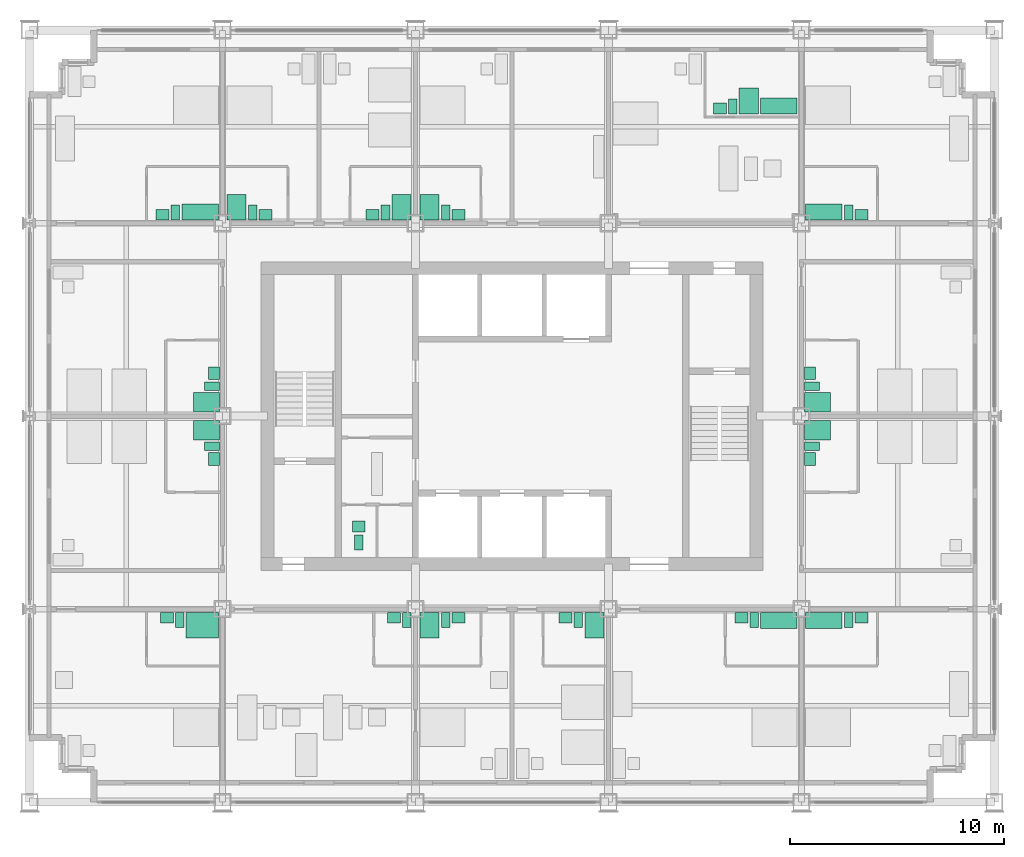
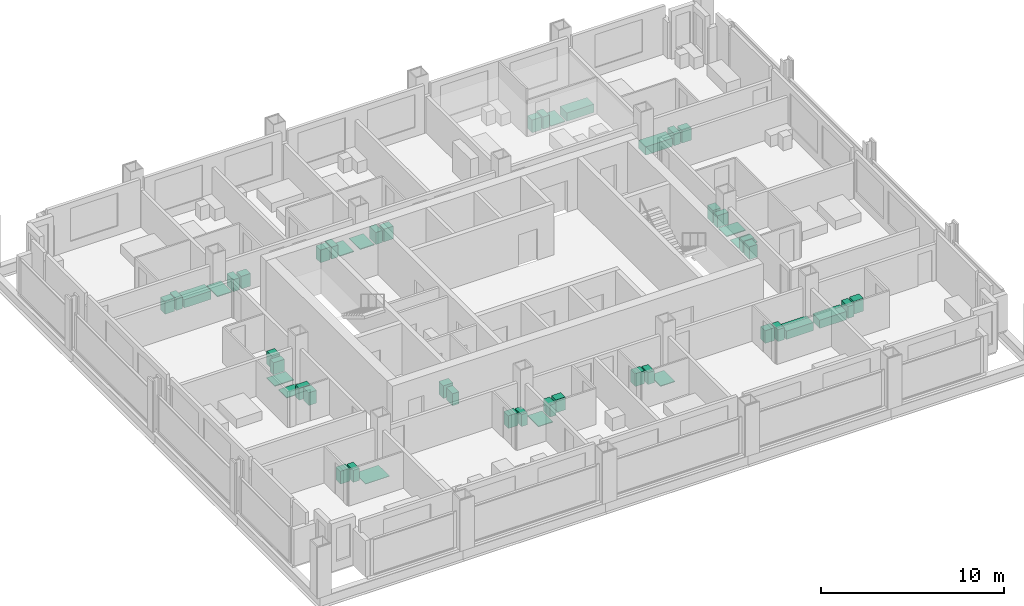
# One storey, part 15 of 16: 50 sanitary terminals.
"""IFC4 building model written with IfcOpenShell, lengths in metres."""

from ifc_helpers import new_model, si_unit, direction, frame, origin, origin_2d, place, context, subcontext, project, spatial, rectangle, extrude, element, save


model = new_model("IFC4")

# Units and contexts
model_context = context("Model", 3, precision=1e-05, world=origin(), true_north=direction((0.0, 1.0)))
body_context = subcontext(model_context, "Body", "Model", "MODEL_VIEW")
ifc_project = project(units=[si_unit("LENGTHUNIT", "METRE"), si_unit("AREAUNIT", "SQUARE_METRE"), si_unit("VOLUMEUNIT", "CUBIC_METRE"), si_unit("PLANEANGLEUNIT", "RADIAN"), si_unit("MASSUNIT", "GRAM", prefix="KILO")], contexts=[model_context])

# Site, building, storey
site_placement = place(None, origin())
site = spatial("IfcSite", under=ifc_project, at=site_placement, CompositionType="ELEMENT")
building_placement = place(site_placement, origin())
building = spatial("IfcBuilding", under=site, at=building_placement, Name="Loomwork Tower", CompositionType="ELEMENT")
storey_placement = place(building_placement, frame((0.0, 0.0, 131.60009765625)))
storey = spatial("IfcBuildingStorey", under=building, at=storey_placement, Name="L35", CompositionType="ELEMENT", Elevation=131.60009765625)

# Sanitary terminals
sanitary_terminal_1_placement = place(storey_placement, frame((8.050048828125, 8.25, 0.0), z_axis=(0.0, 0.0, 1.0), x_axis=(1.0, 0.0, 0.0)))
element("IfcSanitaryTerminal", 1, at=sanitary_terminal_1_placement, inside=storey, Name="Roll-in shower floor L35", PredefinedType="SHOWER", context=body_context, shape_type="SweptSolid", body=[
    extrude(rectangle(XDim=1.5, YDim=1.199951171875, at=origin_2d()), origin(), (0.0, 0.0, 1.0), 0.030029296875),
])
sanitary_terminal_2_placement = place(storey_placement, frame((7.0, 8.5, 0.0), z_axis=(0.0, 0.0, 1.0), x_axis=(1.0, 0.0, 0.0)))
element("IfcSanitaryTerminal", 2, at=sanitary_terminal_2_placement, inside=storey, Name="WC L35", PredefinedType="TOILETPAN", context=body_context, shape_type="SweptSolid", body=[
    extrude(rectangle(XDim=0.39990234375, YDim=0.699951171875, at=origin_2d()), origin(), (0.0, 0.0, 1.0), 0.800048828125),
])
sanitary_terminal_3_placement = place(storey_placement, frame((6.39990234375, 8.60009765625, -0.000244140625), z_axis=(0.0, 0.0, 1.0), x_axis=(1.0, 0.0, 0.0)))
element("IfcSanitaryTerminal", 3, at=sanitary_terminal_3_placement, inside=storey, Name="Basin vanity L35", PredefinedType="WASHHANDBASIN", context=body_context, shape_type="SweptSolid", body=[
    extrude(rectangle(XDim=0.60009765625, YDim=0.5, at=origin_2d()), origin(), (0.0, 0.0, 1.0), 0.85009765625),
])
sanitary_terminal_4_placement = place(storey_placement, frame((17.60009765625, 8.5, 0.0), z_axis=(0.0, 0.0, 1.0), x_axis=(1.0, 0.0, 0.0)))
element("IfcSanitaryTerminal", 4, at=sanitary_terminal_4_placement, inside=storey, Name="WC L35", PredefinedType="TOILETPAN", context=body_context, shape_type="SweptSolid", body=[
    extrude(rectangle(XDim=0.39990234375, YDim=0.699951171875, at=origin_2d()), origin(), (0.0, 0.0, 1.0), 0.800048828125),
])
sanitary_terminal_5_placement = place(storey_placement, frame((17.0, 8.60009765625, -0.000244140625), z_axis=(0.0, 0.0, 1.0), x_axis=(1.0, 0.0, 0.0)))
element("IfcSanitaryTerminal", 5, at=sanitary_terminal_5_placement, inside=storey, Name="Basin vanity L35", PredefinedType="WASHHANDBASIN", context=body_context, shape_type="SweptSolid", body=[
    extrude(rectangle(XDim=0.60009765625, YDim=0.5, at=origin_2d()), origin(), (0.0, 0.0, 1.0), 0.85009765625),
])
sanitary_terminal_6_placement = place(storey_placement, frame((18.64990234375, 8.25, 0.0), z_axis=(0.0, 0.0, 1.0), x_axis=(1.0, 0.0, 0.0)))
element("IfcSanitaryTerminal", 6, at=sanitary_terminal_6_placement, inside=storey, Name="Shower tray L35", PredefinedType="SHOWER", context=body_context, shape_type="SweptSolid", body=[
    extrude(rectangle(XDim=0.89990234375, YDim=1.199951171875, at=origin_2d()), origin(), (0.0, 0.0, 1.0), 0.050048828125),
])
sanitary_terminal_7_placement = place(storey_placement, frame((19.39990234375, 8.5, 0.0), z_axis=(0.0, 0.0, 1.0), x_axis=(1.0, 0.0, 0.0)))
element("IfcSanitaryTerminal", 7, at=sanitary_terminal_7_placement, inside=storey, Name="WC L35", PredefinedType="TOILETPAN", context=body_context, shape_type="SweptSolid", body=[
    extrude(rectangle(XDim=0.39990234375, YDim=0.699951171875, at=origin_2d()), origin(), (0.0, 0.0, 1.0), 0.800048828125),
])
sanitary_terminal_8_placement = place(storey_placement, frame((20.0, 8.60009765625, -0.000244140625), z_axis=(0.0, 0.0, 1.0), x_axis=(1.0, 0.0, 0.0)))
element("IfcSanitaryTerminal", 8, at=sanitary_terminal_8_placement, inside=storey, Name="Basin vanity L35", PredefinedType="WASHHANDBASIN", context=body_context, shape_type="SweptSolid", body=[
    extrude(rectangle(XDim=0.60009765625, YDim=0.5, at=origin_2d()), origin(), (0.0, 0.0, 1.0), 0.85009765625),
])
sanitary_terminal_9_placement = place(storey_placement, frame((26.35009765625, 8.25, 0.0), z_axis=(0.0, 0.0, 1.0), x_axis=(1.0, 0.0, 0.0)))
element("IfcSanitaryTerminal", 9, at=sanitary_terminal_9_placement, inside=storey, Name="Shower tray L35", PredefinedType="SHOWER", context=body_context, shape_type="SweptSolid", body=[
    extrude(rectangle(XDim=0.89990234375, YDim=1.199951171875, at=origin_2d()), origin(), (0.0, 0.0, 1.0), 0.050048828125),
])
sanitary_terminal_10_placement = place(storey_placement, frame((25.60009765625, 8.5, 0.0), z_axis=(0.0, 0.0, 1.0), x_axis=(1.0, 0.0, 0.0)))
element("IfcSanitaryTerminal", 10, at=sanitary_terminal_10_placement, inside=storey, Name="WC L35", PredefinedType="TOILETPAN", context=body_context, shape_type="SweptSolid", body=[
    extrude(rectangle(XDim=0.39990234375, YDim=0.699951171875, at=origin_2d()), origin(), (0.0, 0.0, 1.0), 0.800048828125),
])
sanitary_terminal_11_placement = place(storey_placement, frame((25.0, 8.60009765625, -0.000244140625), z_axis=(0.0, 0.0, 1.0), x_axis=(1.0, 0.0, 0.0)))
element("IfcSanitaryTerminal", 11, at=sanitary_terminal_11_placement, inside=storey, Name="Basin vanity L35", PredefinedType="WASHHANDBASIN", context=body_context, shape_type="SweptSolid", body=[
    extrude(rectangle(XDim=0.60009765625, YDim=0.5, at=origin_2d()), origin(), (0.0, 0.0, 1.0), 0.85009765625),
])
sanitary_terminal_12_placement = place(storey_placement, frame((34.949951171875, 8.47509765625, 0.0), z_axis=(0.0, 0.0, 1.0), x_axis=(1.0, 0.0, 0.0)))
element("IfcSanitaryTerminal", 12, at=sanitary_terminal_12_placement, inside=storey, Name="Bath L35", PredefinedType="BATH", context=body_context, shape_type="SweptSolid", body=[
    extrude(rectangle(XDim=1.699951171875, YDim=0.75, at=origin_2d()), origin(), (0.0, 0.0, 1.0), 0.550048828125),
])
sanitary_terminal_13_placement = place(storey_placement, frame((33.800048828125, 8.5, 0.0), z_axis=(0.0, 0.0, 1.0), x_axis=(1.0, 0.0, 0.0)))
element("IfcSanitaryTerminal", 13, at=sanitary_terminal_13_placement, inside=storey, Name="WC L35", PredefinedType="TOILETPAN", context=body_context, shape_type="SweptSolid", body=[
    extrude(rectangle(XDim=0.39990234375, YDim=0.699951171875, at=origin_2d()), origin(), (0.0, 0.0, 1.0), 0.800048828125),
])
sanitary_terminal_14_placement = place(storey_placement, frame((33.199951171875, 8.60009765625, -0.000244140625), z_axis=(0.0, 0.0, 1.0), x_axis=(1.0, 0.0, 0.0)))
element("IfcSanitaryTerminal", 14, at=sanitary_terminal_14_placement, inside=storey, Name="Basin vanity L35", PredefinedType="WASHHANDBASIN", context=body_context, shape_type="SweptSolid", body=[
    extrude(rectangle(XDim=0.60009765625, YDim=0.5, at=origin_2d()), origin(), (0.0, 0.0, 1.0), 0.85009765625),
])
sanitary_terminal_15_placement = place(storey_placement, frame((37.050048828125, 8.47509765625, 0.0), z_axis=(0.0, 0.0, 1.0), x_axis=(1.0, 0.0, 0.0)))
element("IfcSanitaryTerminal", 15, at=sanitary_terminal_15_placement, inside=storey, Name="Bath L35", PredefinedType="BATH", context=body_context, shape_type="SweptSolid", body=[
    extrude(rectangle(XDim=1.699951171875, YDim=0.75, at=origin_2d()), origin(), (0.0, 0.0, 1.0), 0.550048828125),
])
sanitary_terminal_16_placement = place(storey_placement, frame((38.199951171875, 8.5, 0.0), z_axis=(0.0, 0.0, 1.0), x_axis=(1.0, 0.0, 0.0)))
element("IfcSanitaryTerminal", 16, at=sanitary_terminal_16_placement, inside=storey, Name="WC L35", PredefinedType="TOILETPAN", context=body_context, shape_type="SweptSolid", body=[
    extrude(rectangle(XDim=0.39990234375, YDim=0.699951171875, at=origin_2d()), origin(), (0.0, 0.0, 1.0), 0.800048828125),
])
sanitary_terminal_17_placement = place(storey_placement, frame((38.800048828125, 8.60009765625, -0.000244140625), z_axis=(0.0, 0.0, 1.0), x_axis=(1.0, 0.0, 0.0)))
element("IfcSanitaryTerminal", 17, at=sanitary_terminal_17_placement, inside=storey, Name="Basin vanity L35", PredefinedType="WASHHANDBASIN", context=body_context, shape_type="SweptSolid", body=[
    extrude(rectangle(XDim=0.60009765625, YDim=0.5, at=origin_2d()), origin(), (0.0, 0.0, 1.0), 0.85009765625),
])
sanitary_terminal_18_placement = place(storey_placement, frame((7.949951171875, 27.52490234375, 0.0), z_axis=(0.0, 0.0, 1.0), x_axis=(1.0, 0.0, 0.0)))
element("IfcSanitaryTerminal", 18, at=sanitary_terminal_18_placement, inside=storey, Name="Bath L35", PredefinedType="BATH", context=body_context, shape_type="SweptSolid", body=[
    extrude(rectangle(XDim=1.699951171875, YDim=0.75, at=origin_2d()), origin(), (0.0, 0.0, 1.0), 0.550048828125),
])
sanitary_terminal_19_placement = place(storey_placement, frame((6.800048828125, 27.5, 0.0), z_axis=(0.0, 0.0, 1.0), x_axis=(1.0, 0.0, 0.0)))
element("IfcSanitaryTerminal", 19, at=sanitary_terminal_19_placement, inside=storey, Name="WC L35", PredefinedType="TOILETPAN", context=body_context, shape_type="SweptSolid", body=[
    extrude(rectangle(XDim=0.39990234375, YDim=0.699951171875, at=origin_2d()), origin(), (0.0, 0.0, 1.0), 0.800048828125),
])
sanitary_terminal_20_placement = place(storey_placement, frame((6.199951171875, 27.39990234375, -0.000244140625), z_axis=(0.0, 0.0, 1.0), x_axis=(1.0, 0.0, 0.0)))
element("IfcSanitaryTerminal", 20, at=sanitary_terminal_20_placement, inside=storey, Name="Basin vanity L35", PredefinedType="WASHHANDBASIN", context=body_context, shape_type="SweptSolid", body=[
    extrude(rectangle(XDim=0.60009765625, YDim=0.5, at=origin_2d()), origin(), (0.0, 0.0, 1.0), 0.85009765625),
])
sanitary_terminal_21_placement = place(storey_placement, frame((9.64990234375, 27.75, 0.0), z_axis=(0.0, 0.0, 1.0), x_axis=(1.0, 0.0, 0.0)))
element("IfcSanitaryTerminal", 21, at=sanitary_terminal_21_placement, inside=storey, Name="Shower tray L35", PredefinedType="SHOWER", context=body_context, shape_type="SweptSolid", body=[
    extrude(rectangle(XDim=0.89990234375, YDim=1.199951171875, at=origin_2d()), origin(), (0.0, 0.0, 1.0), 0.050048828125),
])
sanitary_terminal_22_placement = place(storey_placement, frame((10.39990234375, 27.5, 0.0), z_axis=(0.0, 0.0, 1.0), x_axis=(1.0, 0.0, 0.0)))
element("IfcSanitaryTerminal", 22, at=sanitary_terminal_22_placement, inside=storey, Name="WC L35", PredefinedType="TOILETPAN", context=body_context, shape_type="SweptSolid", body=[
    extrude(rectangle(XDim=0.39990234375, YDim=0.699951171875, at=origin_2d()), origin(), (0.0, 0.0, 1.0), 0.800048828125),
])
sanitary_terminal_23_placement = place(storey_placement, frame((11.0, 27.39990234375, -0.000244140625), z_axis=(0.0, 0.0, 1.0), x_axis=(1.0, 0.0, 0.0)))
element("IfcSanitaryTerminal", 23, at=sanitary_terminal_23_placement, inside=storey, Name="Basin vanity L35", PredefinedType="WASHHANDBASIN", context=body_context, shape_type="SweptSolid", body=[
    extrude(rectangle(XDim=0.60009765625, YDim=0.5, at=origin_2d()), origin(), (0.0, 0.0, 1.0), 0.85009765625),
])
sanitary_terminal_24_placement = place(storey_placement, frame((17.35009765625, 27.75, 0.0), z_axis=(0.0, 0.0, 1.0), x_axis=(1.0, 0.0, 0.0)))
element("IfcSanitaryTerminal", 24, at=sanitary_terminal_24_placement, inside=storey, Name="Shower tray L35", PredefinedType="SHOWER", context=body_context, shape_type="SweptSolid", body=[
    extrude(rectangle(XDim=0.89990234375, YDim=1.199951171875, at=origin_2d()), origin(), (0.0, 0.0, 1.0), 0.050048828125),
])
sanitary_terminal_25_placement = place(storey_placement, frame((16.60009765625, 27.5, 0.0), z_axis=(0.0, 0.0, 1.0), x_axis=(1.0, 0.0, 0.0)))
element("IfcSanitaryTerminal", 25, at=sanitary_terminal_25_placement, inside=storey, Name="WC L35", PredefinedType="TOILETPAN", context=body_context, shape_type="SweptSolid", body=[
    extrude(rectangle(XDim=0.39990234375, YDim=0.699951171875, at=origin_2d()), origin(), (0.0, 0.0, 1.0), 0.800048828125),
])
sanitary_terminal_26_placement = place(storey_placement, frame((16.0, 27.39990234375, -0.000244140625), z_axis=(0.0, 0.0, 1.0), x_axis=(1.0, 0.0, 0.0)))
element("IfcSanitaryTerminal", 26, at=sanitary_terminal_26_placement, inside=storey, Name="Basin vanity L35", PredefinedType="WASHHANDBASIN", context=body_context, shape_type="SweptSolid", body=[
    extrude(rectangle(XDim=0.60009765625, YDim=0.5, at=origin_2d()), origin(), (0.0, 0.0, 1.0), 0.85009765625),
])
sanitary_terminal_27_placement = place(storey_placement, frame((18.64990234375, 27.75, 0.0), z_axis=(0.0, 0.0, 1.0), x_axis=(1.0, 0.0, 0.0)))
element("IfcSanitaryTerminal", 27, at=sanitary_terminal_27_placement, inside=storey, Name="Shower tray L35", PredefinedType="SHOWER", context=body_context, shape_type="SweptSolid", body=[
    extrude(rectangle(XDim=0.89990234375, YDim=1.199951171875, at=origin_2d()), origin(), (0.0, 0.0, 1.0), 0.050048828125),
])
sanitary_terminal_28_placement = place(storey_placement, frame((19.39990234375, 27.5, 0.0), z_axis=(0.0, 0.0, 1.0), x_axis=(1.0, 0.0, 0.0)))
element("IfcSanitaryTerminal", 28, at=sanitary_terminal_28_placement, inside=storey, Name="WC L35", PredefinedType="TOILETPAN", context=body_context, shape_type="SweptSolid", body=[
    extrude(rectangle(XDim=0.39990234375, YDim=0.699951171875, at=origin_2d()), origin(), (0.0, 0.0, 1.0), 0.800048828125),
])
sanitary_terminal_29_placement = place(storey_placement, frame((20.0, 27.39990234375, -0.000244140625), z_axis=(0.0, 0.0, 1.0), x_axis=(1.0, 0.0, 0.0)))
element("IfcSanitaryTerminal", 29, at=sanitary_terminal_29_placement, inside=storey, Name="Basin vanity L35", PredefinedType="WASHHANDBASIN", context=body_context, shape_type="SweptSolid", body=[
    extrude(rectangle(XDim=0.60009765625, YDim=0.5, at=origin_2d()), origin(), (0.0, 0.0, 1.0), 0.85009765625),
])
sanitary_terminal_30_placement = place(storey_placement, frame((34.949951171875, 32.47509765625, 0.0), z_axis=(0.0, 0.0, 1.0), x_axis=(1.0, 0.0, 0.0)))
element("IfcSanitaryTerminal", 30, at=sanitary_terminal_30_placement, inside=storey, Name="Bath L35", PredefinedType="BATH", context=body_context, shape_type="SweptSolid", body=[
    extrude(rectangle(XDim=1.699951171875, YDim=0.75, at=origin_2d()), origin(), (0.0, 0.0, 1.0), 0.550048828125),
])
sanitary_terminal_31_placement = place(storey_placement, frame((33.550048828125, 32.699951171875, 0.0), z_axis=(0.0, 0.0, 1.0), x_axis=(1.0, 0.0, 0.0)))
element("IfcSanitaryTerminal", 31, at=sanitary_terminal_31_placement, inside=storey, Name="Shower tray L35", PredefinedType="SHOWER", context=body_context, shape_type="SweptSolid", body=[
    extrude(rectangle(XDim=0.89990234375, YDim=1.199951171875, at=origin_2d()), origin(), (0.0, 0.0, 1.0), 0.050048828125),
])
sanitary_terminal_32_placement = place(storey_placement, frame((32.800048828125, 32.449951171875, 0.0), z_axis=(0.0, 0.0, 1.0), x_axis=(1.0, 0.0, 0.0)))
element("IfcSanitaryTerminal", 32, at=sanitary_terminal_32_placement, inside=storey, Name="WC L35", PredefinedType="TOILETPAN", context=body_context, shape_type="SweptSolid", body=[
    extrude(rectangle(XDim=0.39990234375, YDim=0.699951171875, at=origin_2d()), origin(), (0.0, 0.0, 1.0), 0.800048828125),
])
sanitary_terminal_33_placement = place(storey_placement, frame((32.199951171875, 32.35009765625, -0.000244140625), z_axis=(0.0, 0.0, 1.0), x_axis=(1.0, 0.0, 0.0)))
element("IfcSanitaryTerminal", 33, at=sanitary_terminal_33_placement, inside=storey, Name="Basin vanity L35", PredefinedType="WASHHANDBASIN", context=body_context, shape_type="SweptSolid", body=[
    extrude(rectangle(XDim=0.60009765625, YDim=0.5, at=origin_2d()), origin(), (0.0, 0.0, 1.0), 0.85009765625),
])
sanitary_terminal_34_placement = place(storey_placement, frame((37.050048828125, 27.52490234375, 0.0), z_axis=(0.0, 0.0, 1.0), x_axis=(1.0, 0.0, 0.0)))
element("IfcSanitaryTerminal", 34, at=sanitary_terminal_34_placement, inside=storey, Name="Bath L35", PredefinedType="BATH", context=body_context, shape_type="SweptSolid", body=[
    extrude(rectangle(XDim=1.699951171875, YDim=0.75, at=origin_2d()), origin(), (0.0, 0.0, 1.0), 0.550048828125),
])
sanitary_terminal_35_placement = place(storey_placement, frame((38.199951171875, 27.5, 0.0), z_axis=(0.0, 0.0, 1.0), x_axis=(1.0, 0.0, 0.0)))
element("IfcSanitaryTerminal", 35, at=sanitary_terminal_35_placement, inside=storey, Name="WC L35", PredefinedType="TOILETPAN", context=body_context, shape_type="SweptSolid", body=[
    extrude(rectangle(XDim=0.39990234375, YDim=0.699951171875, at=origin_2d()), origin(), (0.0, 0.0, 1.0), 0.800048828125),
])
sanitary_terminal_36_placement = place(storey_placement, frame((38.800048828125, 27.39990234375, -0.000244140625), z_axis=(0.0, 0.0, 1.0), x_axis=(1.0, 0.0, 0.0)))
element("IfcSanitaryTerminal", 36, at=sanitary_terminal_36_placement, inside=storey, Name="Basin vanity L35", PredefinedType="WASHHANDBASIN", context=body_context, shape_type="SweptSolid", body=[
    extrude(rectangle(XDim=0.60009765625, YDim=0.5, at=origin_2d()), origin(), (0.0, 0.0, 1.0), 0.85009765625),
])
sanitary_terminal_37_placement = place(storey_placement, frame((8.25, 17.35009765625, 0.0), z_axis=(0.0, 0.0, 1.0), x_axis=(1.0, 0.0, 0.0)))
element("IfcSanitaryTerminal", 37, at=sanitary_terminal_37_placement, inside=storey, Name="Shower tray L35", PredefinedType="SHOWER", context=body_context, shape_type="SweptSolid", body=[
    extrude(rectangle(XDim=1.199951171875, YDim=0.89990234375, at=origin_2d()), origin(), (0.0, 0.0, 1.0), 0.050048828125),
])
sanitary_terminal_38_placement = place(storey_placement, frame((8.5, 16.60009765625, 0.0), z_axis=(0.0, 0.0, 1.0), x_axis=(1.0, 0.0, 0.0)))
element("IfcSanitaryTerminal", 38, at=sanitary_terminal_38_placement, inside=storey, Name="WC L35", PredefinedType="TOILETPAN", context=body_context, shape_type="SweptSolid", body=[
    extrude(rectangle(XDim=0.699951171875, YDim=0.39990234375, at=origin_2d()), origin(), (0.0, 0.0, 1.0), 0.800048828125),
])
sanitary_terminal_39_placement = place(storey_placement, frame((8.60009765625, 16.0, -0.000244140625), z_axis=(0.0, 0.0, 1.0), x_axis=(1.0, 0.0, 0.0)))
element("IfcSanitaryTerminal", 39, at=sanitary_terminal_39_placement, inside=storey, Name="Basin vanity L35", PredefinedType="WASHHANDBASIN", context=body_context, shape_type="SweptSolid", body=[
    extrude(rectangle(XDim=0.5, YDim=0.60009765625, at=origin_2d()), origin(), (0.0, 0.0, 1.0), 0.85009765625),
])
sanitary_terminal_40_placement = place(storey_placement, frame((8.25, 18.64990234375, 0.0), z_axis=(0.0, 0.0, 1.0), x_axis=(1.0, 0.0, 0.0)))
element("IfcSanitaryTerminal", 40, at=sanitary_terminal_40_placement, inside=storey, Name="Shower tray L35", PredefinedType="SHOWER", context=body_context, shape_type="SweptSolid", body=[
    extrude(rectangle(XDim=1.199951171875, YDim=0.89990234375, at=origin_2d()), origin(), (0.0, 0.0, 1.0), 0.050048828125),
])
sanitary_terminal_41_placement = place(storey_placement, frame((8.5, 19.39990234375, 0.0), z_axis=(0.0, 0.0, 1.0), x_axis=(1.0, 0.0, 0.0)))
element("IfcSanitaryTerminal", 41, at=sanitary_terminal_41_placement, inside=storey, Name="WC L35", PredefinedType="TOILETPAN", context=body_context, shape_type="SweptSolid", body=[
    extrude(rectangle(XDim=0.699951171875, YDim=0.39990234375, at=origin_2d()), origin(), (0.0, 0.0, 1.0), 0.800048828125),
])
sanitary_terminal_42_placement = place(storey_placement, frame((8.60009765625, 20.0, -0.000244140625), z_axis=(0.0, 0.0, 1.0), x_axis=(1.0, 0.0, 0.0)))
element("IfcSanitaryTerminal", 42, at=sanitary_terminal_42_placement, inside=storey, Name="Basin vanity L35", PredefinedType="WASHHANDBASIN", context=body_context, shape_type="SweptSolid", body=[
    extrude(rectangle(XDim=0.5, YDim=0.60009765625, at=origin_2d()), origin(), (0.0, 0.0, 1.0), 0.85009765625),
])
sanitary_terminal_43_placement = place(storey_placement, frame((36.75, 17.35009765625, 0.0), z_axis=(0.0, 0.0, 1.0), x_axis=(1.0, 0.0, 0.0)))
element("IfcSanitaryTerminal", 43, at=sanitary_terminal_43_placement, inside=storey, Name="Shower tray L35", PredefinedType="SHOWER", context=body_context, shape_type="SweptSolid", body=[
    extrude(rectangle(XDim=1.199951171875, YDim=0.89990234375, at=origin_2d()), origin(), (0.0, 0.0, 1.0), 0.050048828125),
])
sanitary_terminal_44_placement = place(storey_placement, frame((36.5, 16.60009765625, 0.0), z_axis=(0.0, 0.0, 1.0), x_axis=(1.0, 0.0, 0.0)))
element("IfcSanitaryTerminal", 44, at=sanitary_terminal_44_placement, inside=storey, Name="WC L35", PredefinedType="TOILETPAN", context=body_context, shape_type="SweptSolid", body=[
    extrude(rectangle(XDim=0.699951171875, YDim=0.39990234375, at=origin_2d()), origin(), (0.0, 0.0, 1.0), 0.800048828125),
])
sanitary_terminal_45_placement = place(storey_placement, frame((36.39990234375, 16.0, -0.000244140625), z_axis=(0.0, 0.0, 1.0), x_axis=(1.0, 0.0, 0.0)))
element("IfcSanitaryTerminal", 45, at=sanitary_terminal_45_placement, inside=storey, Name="Basin vanity L35", PredefinedType="WASHHANDBASIN", context=body_context, shape_type="SweptSolid", body=[
    extrude(rectangle(XDim=0.5, YDim=0.60009765625, at=origin_2d()), origin(), (0.0, 0.0, 1.0), 0.85009765625),
])
sanitary_terminal_46_placement = place(storey_placement, frame((36.75, 18.64990234375, 0.0), z_axis=(0.0, 0.0, 1.0), x_axis=(1.0, 0.0, 0.0)))
element("IfcSanitaryTerminal", 46, at=sanitary_terminal_46_placement, inside=storey, Name="Shower tray L35", PredefinedType="SHOWER", context=body_context, shape_type="SweptSolid", body=[
    extrude(rectangle(XDim=1.199951171875, YDim=0.89990234375, at=origin_2d()), origin(), (0.0, 0.0, 1.0), 0.050048828125),
])
sanitary_terminal_47_placement = place(storey_placement, frame((36.5, 19.39990234375, 0.0), z_axis=(0.0, 0.0, 1.0), x_axis=(1.0, 0.0, 0.0)))
element("IfcSanitaryTerminal", 47, at=sanitary_terminal_47_placement, inside=storey, Name="WC L35", PredefinedType="TOILETPAN", context=body_context, shape_type="SweptSolid", body=[
    extrude(rectangle(XDim=0.699951171875, YDim=0.39990234375, at=origin_2d()), origin(), (0.0, 0.0, 1.0), 0.800048828125),
])
sanitary_terminal_48_placement = place(storey_placement, frame((36.39990234375, 20.0, -0.000244140625), z_axis=(0.0, 0.0, 1.0), x_axis=(1.0, 0.0, 0.0)))
element("IfcSanitaryTerminal", 48, at=sanitary_terminal_48_placement, inside=storey, Name="Basin vanity L35", PredefinedType="WASHHANDBASIN", context=body_context, shape_type="SweptSolid", body=[
    extrude(rectangle(XDim=0.5, YDim=0.60009765625, at=origin_2d()), origin(), (0.0, 0.0, 1.0), 0.85009765625),
])
sanitary_terminal_49_placement = place(storey_placement, frame((15.35009765625, 12.10009765625, 0.0), z_axis=(0.0, 0.0, 1.0), x_axis=(1.0, 0.0, 0.0)))
element("IfcSanitaryTerminal", 49, at=sanitary_terminal_49_placement, inside=storey, Name="WC L35", PredefinedType="TOILETPAN", context=body_context, shape_type="SweptSolid", body=[
    extrude(rectangle(XDim=0.39990234375, YDim=0.699951171875, at=origin_2d()), origin(), (0.0, 0.0, 1.0), 0.800048828125),
])
sanitary_terminal_50_placement = place(storey_placement, frame((15.35009765625, 12.85009765625, -0.000244140625), z_axis=(0.0, 0.0, 1.0), x_axis=(1.0, 0.0, 0.0)))
element("IfcSanitaryTerminal", 50, at=sanitary_terminal_50_placement, inside=storey, Name="Basin L35", PredefinedType="WASHHANDBASIN", context=body_context, shape_type="SweptSolid", body=[
    extrude(rectangle(XDim=0.60009765625, YDim=0.5, at=origin_2d()), origin(), (0.0, 0.0, 1.0), 0.85009765625),
])

save(model, "model.ifc")
